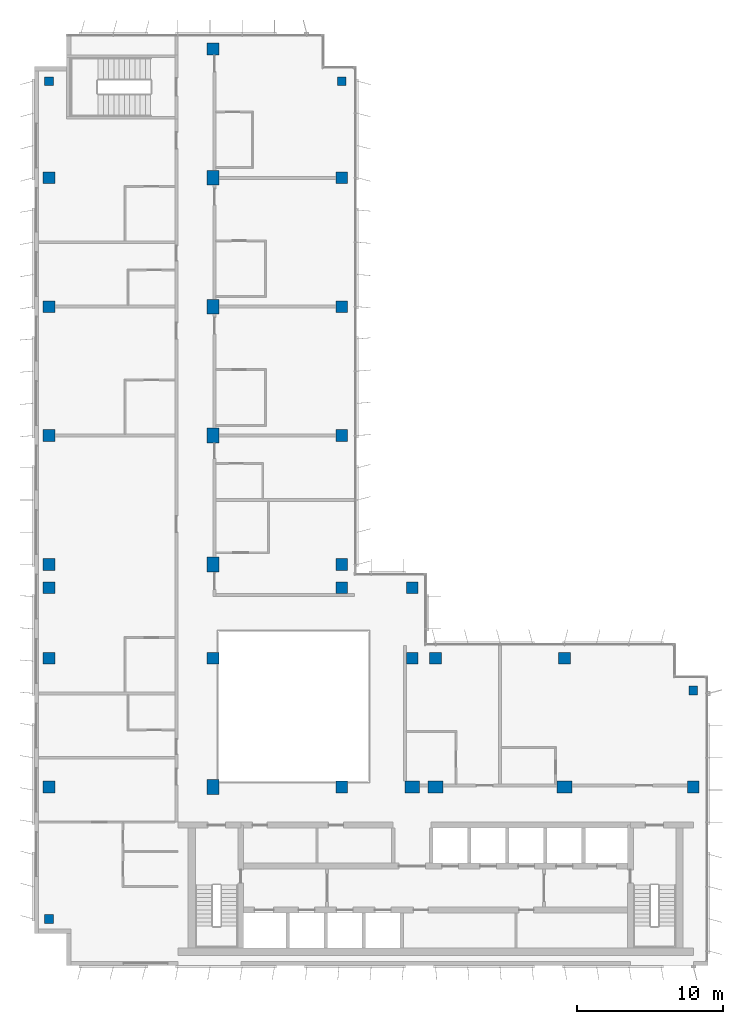
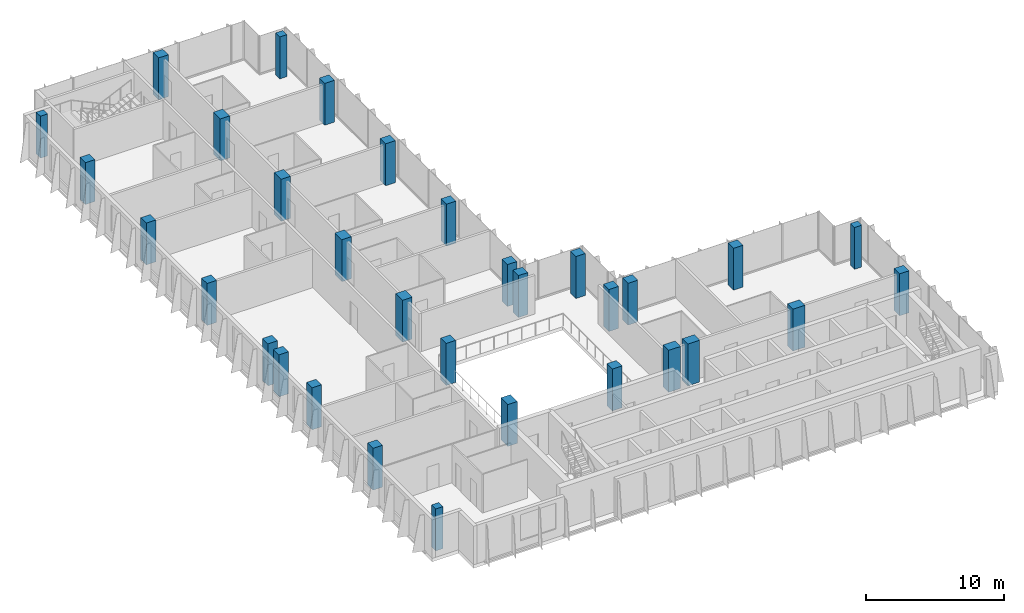
# One storey, part 1 of 15: 32 columns.
"""IFC4 building model written with IfcOpenShell, lengths in metres."""

from ifc_helpers import new_model, si_unit, direction, frame, origin, origin_2d, place, context, subcontext, project, spatial, rectangle, extrude, material, material_profile, profile_set, type_object, element, save


model = new_model("IFC4")

# Units and contexts
model_context = context("Model", 3, precision=1e-05, world=origin(), true_north=direction((0.0, 1.0)))
body_context = subcontext(model_context, "Body", "Model", "MODEL_VIEW")
ifc_project = project(units=[si_unit("LENGTHUNIT", "METRE"), si_unit("AREAUNIT", "SQUARE_METRE"), si_unit("VOLUMEUNIT", "CUBIC_METRE"), si_unit("PLANEANGLEUNIT", "RADIAN"), si_unit("MASSUNIT", "GRAM", prefix="KILO")], contexts=[model_context])

# Site, building, storey
site_placement = place(None, origin())
site = spatial("IfcSite", under=ifc_project, at=site_placement, CompositionType="ELEMENT")
building_placement = place(site_placement, origin())
building = spatial("IfcBuilding", under=site, at=building_placement, Name="Kemantara Hotel Tower", CompositionType="ELEMENT")
storey_placement = place(building_placement, frame((0.0, 0.0, 233.89990234375)))
storey = spatial("IfcBuildingStorey", under=building, at=storey_placement, Name="L58", CompositionType="ELEMENT", Elevation=233.89990234375)

# Columns
ifc_material = material(Name="Concrete fc 60 MPa", Category="concrete")
ifc_material_profile_1 = material_profile(ifc_material, rectangle(XDim=1.0, YDim=0.800048828125, at=origin_2d()), Name="RC 1000X800")
ifc_profile_set_1 = profile_set([ifc_material_profile_1], Name="Concrete fc 60 MPa")
column_type_1 = type_object("IfcColumnType", Name="RC COLUMN 1000X800 FC60", PredefinedType="COLUMN", material=ifc_profile_set_1)
for number, where, z_axis, x_axis, name in (
    (1, (12.199951171875, 12.199951171875, 0.0), (0.0, 0.0, 1.0), (0.0, 1.0, 0.0), "COLUMN 2A/BA L58"),
    (2, (12.199951171875, 27.39990234375, 0.0), (0.0, 0.0, 1.0), (0.0, 1.0, 0.0), "COLUMN 2A/D L58"),
    (3, (12.199951171875, 36.199951171875, 0.0), (0.0, 0.0, 1.0), (0.0, 1.0, 0.0), "COLUMN 2A/E L58"),
    (4, (12.199951171875, 45.0, 0.0), (0.0, 0.0, 1.0), (0.0, 1.0, 0.0), "COLUMN 2A/F L58"),
    (5, (12.199951171875, 53.800048828125, 0.0), (0.0, 0.0, 1.0), (0.0, 1.0, 0.0), "COLUMN 2A/G L58"),
    (6, (25.800048828125, 12.199951171875, 0.0), (0.0, 0.0, 1.0), (1.0, 0.0, 0.0), "COLUMN 3A/BA L58"),
    (7, (27.39990234375, 12.199951171875, 0.0), (0.0, 0.0, 1.0), (1.0, 0.0, 0.0), "COLUMN 4/BA L58"),
    (8, (36.199951171875, 12.199951171875, 0.0), (0.0, 0.0, 1.0), (1.0, 0.0, 0.0), "COLUMN 5/BA L58"),
):
    element("IfcColumn", number, at=place(storey_placement, frame(where, z_axis=z_axis, x_axis=x_axis)), inside=storey, type_object=column_type_1, Name=name, PredefinedType="COLUMN", context=body_context, shape_type="SweptSolid", body=[
        extrude(rectangle(XDim=1.0, YDim=0.800048828125, at=origin_2d()), origin(), (0.0, 0.0, 1.0), 3.7001953125),
    ])
ifc_material_profile_2 = material_profile(ifc_material, rectangle(XDim=0.60009765625, YDim=0.60009765625, at=origin_2d()), Name="RC 600X600")
ifc_profile_set_2 = profile_set([ifc_material_profile_2], Name="Concrete fc 60 MPa")
column_type_2 = type_object("IfcColumnType", Name="RC COLUMN 600X600 FC60", PredefinedType="COLUMN", material=ifc_profile_set_2)
for number, where, z_axis, x_axis, name in (
    (9, (1.0, 3.199951171875, 0.0), (0.0, 0.0, 1.0), (1.0, 0.0, 0.0), "COLUMN notch corner L58"),
    (10, (1.0, 60.39990234375, 0.0), (0.0, 0.0, 1.0), (1.0, 0.0, 0.0), "COLUMN notch corner L58"),
    (11, (21.0, 60.39990234375, 0.0), (0.0, 0.0, 1.0), (1.0, 0.0, 0.0), "COLUMN notch corner L58"),
    (12, (45.0, 18.800048828125, 0.0), (0.0, 0.0, 1.0), (1.0, 0.0, 0.0), "COLUMN notch corner L58"),
):
    element("IfcColumn", number, at=place(storey_placement, frame(where, z_axis=z_axis, x_axis=x_axis)), inside=storey, type_object=column_type_2, Name=name, PredefinedType="COLUMN", context=body_context, shape_type="SweptSolid", body=[
        extrude(rectangle(XDim=0.60009765625, YDim=0.60009765625, at=origin_2d()), origin(), (0.0, 0.0, 1.0), 3.7001953125),
    ])
ifc_material_profile_3 = material_profile(ifc_material, rectangle(XDim=0.800048828125, YDim=0.800048828125, at=origin_2d()), Name="RC 800X800")
ifc_profile_set_3 = profile_set([ifc_material_profile_3], Name="Concrete fc 60 MPa")
column_type_3 = type_object("IfcColumnType", Name="RC COLUMN 800X800 FC60", PredefinedType="COLUMN", material=ifc_profile_set_3)
for number, where, z_axis, x_axis, name in (
    (13, (1.0, 12.199951171875, 0.0), (0.0, 0.0, 1.0), (1.0, 0.0, 0.0), "COLUMN 1/BA L58"),
    (14, (1.0, 21.0, 0.0), (0.0, 0.0, 1.0), (1.0, 0.0, 0.0), "COLUMN 1/C L58"),
    (15, (1.0, 25.800048828125, 0.0), (0.0, 0.0, 1.0), (1.0, 0.0, 0.0), "COLUMN 1/CA L58"),
    (16, (1.0, 27.39990234375, 0.0), (0.0, 0.0, 1.0), (1.0, 0.0, 0.0), "COLUMN 1/D L58"),
    (17, (1.0, 36.199951171875, 0.0), (0.0, 0.0, 1.0), (1.0, 0.0, 0.0), "COLUMN 1/E L58"),
    (18, (1.0, 45.0, 0.0), (0.0, 0.0, 1.0), (1.0, 0.0, 0.0), "COLUMN 1/F L58"),
    (19, (1.0, 53.800048828125, 0.0), (0.0, 0.0, 1.0), (1.0, 0.0, 0.0), "COLUMN 1/G L58"),
    (20, (12.199951171875, 21.0, 0.0), (0.0, 0.0, 1.0), (1.0, 0.0, 0.0), "COLUMN 2A/C L58"),
    (21, (12.199951171875, 62.60009765625, 0.0), (0.0, 0.0, 1.0), (1.0, 0.0, 0.0), "COLUMN 2A/H L58"),
    (22, (21.0, 12.199951171875, 0.0), (0.0, 0.0, 1.0), (1.0, 0.0, 0.0), "COLUMN 3/BA L58"),
    (23, (21.0, 25.800048828125, 0.0), (0.0, 0.0, 1.0), (1.0, 0.0, 0.0), "COLUMN 3/CA L58"),
    (24, (21.0, 27.39990234375, 0.0), (0.0, 0.0, 1.0), (1.0, 0.0, 0.0), "COLUMN 3/D L58"),
    (25, (21.0, 36.199951171875, 0.0), (0.0, 0.0, 1.0), (1.0, 0.0, 0.0), "COLUMN 3/E L58"),
    (26, (21.0, 45.0, 0.0), (0.0, 0.0, 1.0), (1.0, 0.0, 0.0), "COLUMN 3/F L58"),
    (27, (21.0, 53.800048828125, 0.0), (0.0, 0.0, 1.0), (1.0, 0.0, 0.0), "COLUMN 3/G L58"),
    (28, (25.800048828125, 21.0, 0.0), (0.0, 0.0, 1.0), (1.0, 0.0, 0.0), "COLUMN 3A/C L58"),
    (29, (25.800048828125, 25.800048828125, 0.0), (0.0, 0.0, 1.0), (1.0, 0.0, 0.0), "COLUMN 3A/CA L58"),
    (30, (27.39990234375, 21.0, 0.0), (0.0, 0.0, 1.0), (1.0, 0.0, 0.0), "COLUMN 4/C L58"),
    (31, (36.199951171875, 21.0, 0.0), (0.0, 0.0, 1.0), (1.0, 0.0, 0.0), "COLUMN 5/C L58"),
    (32, (45.0, 12.199951171875, 0.0), (0.0, 0.0, 1.0), (1.0, 0.0, 0.0), "COLUMN 6/BA L58"),
):
    element("IfcColumn", number, at=place(storey_placement, frame(where, z_axis=z_axis, x_axis=x_axis)), inside=storey, type_object=column_type_3, Name=name, PredefinedType="COLUMN", context=body_context, shape_type="SweptSolid", body=[
        extrude(rectangle(XDim=0.800048828125, YDim=0.800048828125, at=origin_2d()), origin(), (0.0, 0.0, 1.0), 3.7001953125),
    ])

save(model, "model.ifc")
